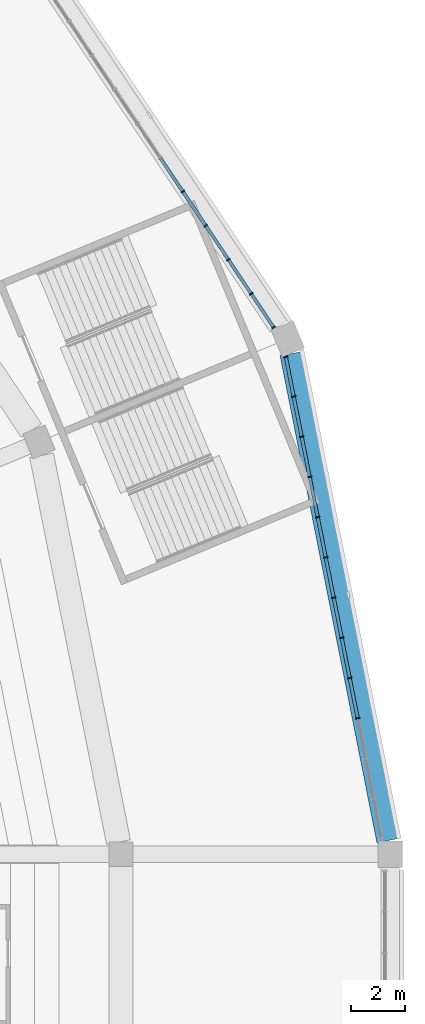
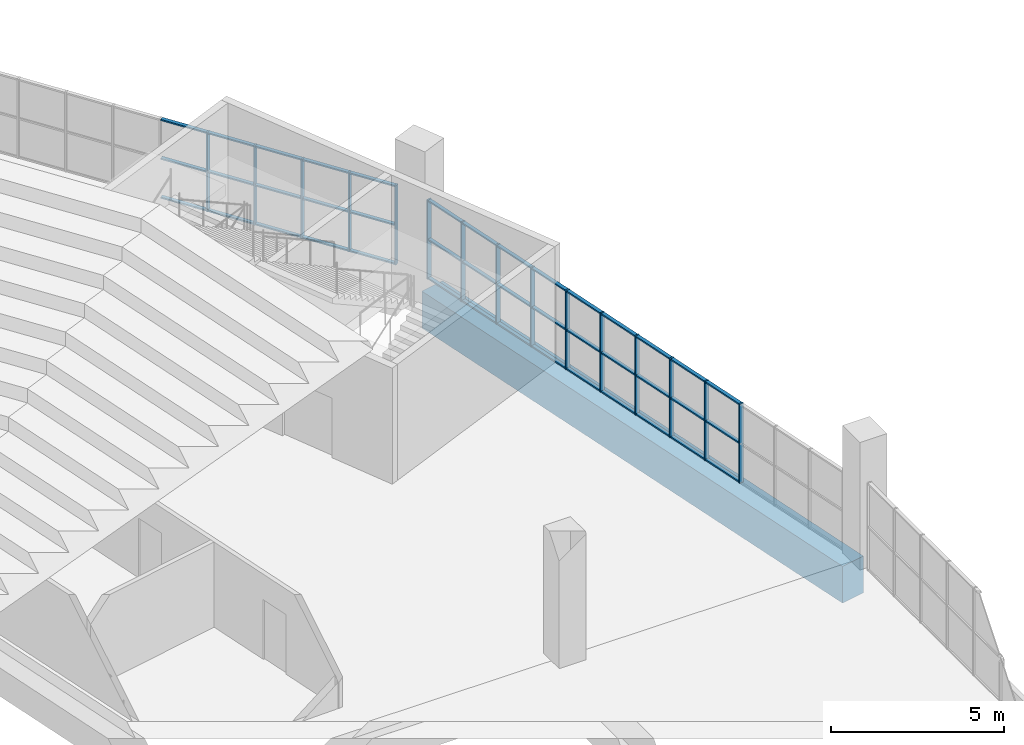
# One storey, part 59 of 249: 57 members, 1 beam, 2 elements without a shape of their own.
"""IFC4 building model written with IfcOpenShell, lengths in metres."""

from ifc_helpers import new_model, si_unit, direction, frame, origin, origin_2d, place, context, subcontext, project, spatial, rectangle, extrude, material, material_profile, profile_set, type_object, element, aggregate, save


model = new_model("IFC4")

# Units and contexts
model_context = context("Model", 3, precision=1e-05, world=origin(), true_north=direction((0.0, 1.0)))
body_context = subcontext(model_context, "Body", "Model", "MODEL_VIEW")
ifc_project = project(units=[si_unit("LENGTHUNIT", "METRE"), si_unit("AREAUNIT", "SQUARE_METRE"), si_unit("VOLUMEUNIT", "CUBIC_METRE"), si_unit("PLANEANGLEUNIT", "RADIAN"), si_unit("MASSUNIT", "GRAM", prefix="KILO")], contexts=[model_context])

# Site, building, storey
site_placement = place(None, origin())
site = spatial("IfcSite", under=ifc_project, at=site_placement, CompositionType="ELEMENT")
building_placement = place(site_placement, origin())
building = spatial("IfcBuilding", under=site, at=building_placement, Name="Ogive Plaza Stadium", CompositionType="ELEMENT")
storey_placement = place(building_placement, frame((0.0, 0.0, 13.5)))
storey = spatial("IfcBuildingStorey", under=building, at=storey_placement, Name="L03", CompositionType="ELEMENT", Elevation=13.5)

# Curtain wall, members
ifc_material_1 = material(Name="Bronze-anodised aluminium with laminated glass", Category="aluminium")
curtain_wall_type = type_object("IfcCurtainWallType", Name="Lancet curtain wall", PredefinedType="NOTDEFINED", material=ifc_material_1)
curtain_wall_1_placement = place(storey_placement, origin())
curtain_wall_1 = element("IfcCurtainWall", 1, at=curtain_wall_1_placement, inside=storey, type_object=curtain_wall_type, Name="CURTAIN WALL B39 L03", PredefinedType="NOTDEFINED")
ifc_material_2 = material(Name="Bronze-anodised aluminium", Category="aluminium")
ifc_material_profile_1 = material_profile(ifc_material_2, rectangle(XDim=0.14990234375, YDim=0.050048828125, at=origin_2d()), Name="AL 150x50")
ifc_profile_set_1 = profile_set([ifc_material_profile_1], Name="Bronze-anodised aluminium")
member_type_1 = type_object("IfcMemberType", Name="Curtain wall mullion 50x150", PredefinedType="MULLION", material=ifc_profile_set_1)
member_1_placement = place(storey_placement, frame((76.2998046875, 77.10205078125, 0.0), z_axis=(0.0, 0.0, 1.0), x_axis=(0.831469612303, 0.55557023302, 0.0)))
member_1 = element("IfcMember", 2, at=member_1_placement, type_object=member_type_1, Name="CW-B39-L03 mullion 9", PredefinedType="MULLION", context=body_context, shape_type="SweptSolid", body=[
    extrude(rectangle(XDim=0.14990234375, YDim=0.050048828125, at=origin_2d()), origin(), (0.0, 0.0, 1.0), 2.7900390625),
])
member_2_placement = place(storey_placement, frame((77.145751953125, 75.836181640625, 0.0), z_axis=(0.0, 0.0, 1.0), x_axis=(0.831469612303, 0.55557023302, 0.0)))
member_2 = element("IfcMember", 3, at=member_2_placement, type_object=member_type_1, Name="CW-B39-L03 mullion 10", PredefinedType="MULLION", context=body_context, shape_type="SweptSolid", body=[
    extrude(rectangle(XDim=0.14990234375, YDim=0.050048828125, at=origin_2d()), origin(), (0.0, 0.0, 1.0), 2.7900390625),
])
member_3_placement = place(storey_placement, frame((77.991455078125, 74.570556640625, 0.0), z_axis=(0.0, 0.0, 1.0), x_axis=(0.831469612303, 0.55557023302, 0.0)))
member_3 = element("IfcMember", 4, at=member_3_placement, type_object=member_type_1, Name="CW-B39-L03 mullion 11", PredefinedType="MULLION", context=body_context, shape_type="SweptSolid", body=[
    extrude(rectangle(XDim=0.14990234375, YDim=0.050048828125, at=origin_2d()), origin(), (0.0, 0.0, 1.0), 2.7900390625),
])
member_4_placement = place(storey_placement, frame((78.837158203125, 73.3046875, 0.0), z_axis=(0.0, 0.0, 1.0), x_axis=(0.831469612303, 0.55557023302, 0.0)))
member_4 = element("IfcMember", 5, at=member_4_placement, type_object=member_type_1, Name="CW-B39-L03 mullion 12", PredefinedType="MULLION", context=body_context, shape_type="SweptSolid", body=[
    extrude(rectangle(XDim=0.14990234375, YDim=0.050048828125, at=origin_2d()), origin(), (0.0, 0.0, 1.0), 2.7900390625),
])
member_5_placement = place(storey_placement, frame((79.669189453125, 72.059814453125, 0.0), z_axis=(0.0, 0.0, 1.0), x_axis=(0.831469612303, 0.55557023302, 0.0)))
member_5 = element("IfcMember", 6, at=member_5_placement, type_object=member_type_1, Name="CW-B39-L03 mullion 13", PredefinedType="MULLION", context=body_context, shape_type="SweptSolid", body=[
    extrude(rectangle(XDim=0.14990234375, YDim=0.050048828125, at=origin_2d()), origin(), (0.0, 0.0, 1.0), 2.7900390625),
])

curtain_wall_2_placement = place(storey_placement, origin())
curtain_wall_2 = element("IfcCurtainWall", 7, at=curtain_wall_2_placement, inside=storey, type_object=curtain_wall_type, Name="CURTAIN WALL B40 L03", PredefinedType="NOTDEFINED")
member_6_placement = place(storey_placement, frame((80.123779296875, 70.962158203125, 0.0), z_axis=(0.0, 0.0, 1.0), x_axis=(0.9807852804, 0.195090322033, 0.0)))
member_6 = element("IfcMember", 8, at=member_6_placement, type_object=member_type_1, Name="CW-B40-L03 mullion 1", PredefinedType="MULLION", context=body_context, shape_type="SweptSolid", body=[
    extrude(rectangle(XDim=0.14990234375, YDim=0.050048828125, at=origin_2d()), origin(), (0.0, 0.0, 1.0), 2.7900390625),
])
member_7_placement = place(storey_placement, frame((80.415771484375, 69.49365234375, 0.0), z_axis=(0.0, 0.0, 1.0), x_axis=(0.9807852804, 0.195090322033, 0.0)))
member_7 = element("IfcMember", 9, at=member_7_placement, type_object=member_type_1, Name="CW-B40-L03 mullion 2", PredefinedType="MULLION", context=body_context, shape_type="SweptSolid", body=[
    extrude(rectangle(XDim=0.14990234375, YDim=0.050048828125, at=origin_2d()), origin(), (0.0, 0.0, 1.0), 2.7900390625),
])
member_8_placement = place(storey_placement, frame((80.712890625, 68.00048828125, 0.0), z_axis=(0.0, 0.0, 1.0), x_axis=(0.9807852804, 0.195090322033, 0.0)))
member_8 = element("IfcMember", 10, at=member_8_placement, type_object=member_type_1, Name="CW-B40-L03 mullion 3", PredefinedType="MULLION", context=body_context, shape_type="SweptSolid", body=[
    extrude(rectangle(XDim=0.14990234375, YDim=0.050048828125, at=origin_2d()), origin(), (0.0, 0.0, 1.0), 2.7900390625),
])
member_9_placement = place(storey_placement, frame((81.009765625, 66.50732421875, 0.0), z_axis=(0.0, 0.0, 1.0), x_axis=(0.9807852804, 0.195090322033, 0.0)))
member_9 = element("IfcMember", 11, at=member_9_placement, type_object=member_type_1, Name="CW-B40-L03 mullion 4", PredefinedType="MULLION", context=body_context, shape_type="SweptSolid", body=[
    extrude(rectangle(XDim=0.14990234375, YDim=0.050048828125, at=origin_2d()), origin(), (0.0, 0.0, 1.0), 2.7900390625),
])
member_10_placement = place(storey_placement, frame((81.306884765625, 65.01416015625, 0.0), z_axis=(0.0, 0.0, 1.0), x_axis=(0.9807852804, 0.195090322033, 0.0)))
member_10 = element("IfcMember", 12, at=member_10_placement, type_object=member_type_1, Name="CW-B40-L03 mullion 5", PredefinedType="MULLION", context=body_context, shape_type="SweptSolid", body=[
    extrude(rectangle(XDim=0.14990234375, YDim=0.050048828125, at=origin_2d()), origin(), (0.0, 0.0, 1.0), 2.7900390625),
])
member_11_placement = place(storey_placement, frame((81.603759765625, 63.521240234375, 0.0), z_axis=(0.0, 0.0, 1.0), x_axis=(0.9807852804, 0.195090322033, 0.0)))
member_11 = element("IfcMember", 13, at=member_11_placement, type_object=member_type_1, Name="CW-B40-L03 mullion 6", PredefinedType="MULLION", context=body_context, shape_type="SweptSolid", body=[
    extrude(rectangle(XDim=0.14990234375, YDim=0.050048828125, at=origin_2d()), origin(), (0.0, 0.0, 1.0), 2.7900390625),
])
member_12_placement = place(storey_placement, frame((81.90087890625, 62.028076171875, 0.0), z_axis=(0.0, 0.0, 1.0), x_axis=(0.9807852804, 0.195090322033, 0.0)))
member_12 = element("IfcMember", 14, at=member_12_placement, type_object=member_type_1, Name="CW-B40-L03 mullion 7", PredefinedType="MULLION", context=body_context, shape_type="SweptSolid", body=[
    extrude(rectangle(XDim=0.14990234375, YDim=0.050048828125, at=origin_2d()), origin(), (0.0, 0.0, 1.0), 2.7900390625),
])
member_13_placement = place(storey_placement, frame((82.19775390625, 60.534912109375, 0.0), z_axis=(0.0, 0.0, 1.0), x_axis=(0.9807852804, 0.195090322033, 0.0)))
member_13 = element("IfcMember", 15, at=member_13_placement, type_object=member_type_1, Name="CW-B40-L03 mullion 8", PredefinedType="MULLION", context=body_context, shape_type="SweptSolid", body=[
    extrude(rectangle(XDim=0.14990234375, YDim=0.050048828125, at=origin_2d()), origin(), (0.0, 0.0, 1.0), 2.7900390625),
])
member_14_placement = place(storey_placement, frame((82.494873046875, 59.0419921875, 0.0), z_axis=(0.0, 0.0, 1.0), x_axis=(0.9807852804, 0.195090322033, 0.0)))
member_14 = element("IfcMember", 16, at=member_14_placement, type_object=member_type_1, Name="CW-B40-L03 mullion 9", PredefinedType="MULLION", context=body_context, shape_type="SweptSolid", body=[
    extrude(rectangle(XDim=0.14990234375, YDim=0.050048828125, at=origin_2d()), origin(), (0.0, 0.0, 1.0), 2.7900390625),
])
member_15_placement = place(storey_placement, frame((82.791748046875, 57.548828125, 0.0), z_axis=(0.0, 0.0, 1.0), x_axis=(0.9807852804, 0.195090322033, 0.0)))
member_15 = element("IfcMember", 17, at=member_15_placement, type_object=member_type_1, Name="CW-B40-L03 mullion 10", PredefinedType="MULLION", context=body_context, shape_type="SweptSolid", body=[
    extrude(rectangle(XDim=0.14990234375, YDim=0.050048828125, at=origin_2d()), origin(), (0.0, 0.0, 1.0), 2.7900390625),
])

# Member
ifc_material_3 = material(Name="Bronze-anodised aluminium", Category="aluminium")
ifc_material_profile_2 = material_profile(ifc_material_3, rectangle(XDim=0.1201171875, YDim=0.050048828125, at=origin_2d()), Name="AL 120x50")
ifc_profile_set_2 = profile_set([ifc_material_profile_2], Name="Bronze-anodised aluminium")
member_type_2 = type_object("IfcMemberType", Name="Curtain wall transom 50x120", PredefinedType="USERDEFINED", material=ifc_profile_set_2)
member_16_placement = place(storey_placement, frame((75.468017578125, 78.34716796875, 0.02490234375), z_axis=(0.555579876157, -0.831463168883, 0.0), x_axis=(0.831463168883, 0.555579876157, 0.0)))
member_16 = element("IfcMember", 18, at=member_16_placement, type_object=member_type_2, Name="CW-B39-L03 transom 8.1", ObjectType="TRANSOM", PredefinedType="USERDEFINED", context=body_context, shape_type="SweptSolid", body=[
    extrude(rectangle(XDim=0.1201171875, YDim=0.050048828125, at=origin_2d()), origin(), (0.0, 0.0, 1.0), 1.47265625),
])

member_17_placement = place(storey_placement, frame((75.468017578125, 78.34716796875, 1.39501953125), z_axis=(0.555579876157, -0.831463168883, 0.0), x_axis=(0.831463168883, 0.555579876157, 0.0)))
member_17 = element("IfcMember", 19, at=member_17_placement, type_object=member_type_2, Name="CW-B39-L03 transom 8.2", ObjectType="TRANSOM", PredefinedType="USERDEFINED", context=body_context, shape_type="SweptSolid", body=[
    extrude(rectangle(XDim=0.1201171875, YDim=0.050048828125, at=origin_2d()), origin(), (0.0, 0.0, 1.0), 1.47265625),
])

member_18_placement = place(storey_placement, frame((75.468017578125, 78.34716796875, 2.764892578125), z_axis=(0.555579876157, -0.831463168883, 0.0), x_axis=(0.831463168883, 0.555579876157, 0.0)))
member_18 = element("IfcMember", 20, at=member_18_placement, type_object=member_type_2, Name="CW-B39-L03 transom 8.3", ObjectType="TRANSOM", PredefinedType="USERDEFINED", context=body_context, shape_type="SweptSolid", body=[
    extrude(rectangle(XDim=0.1201171875, YDim=0.050048828125, at=origin_2d()), origin(), (0.0, 0.0, 1.0), 1.47265625),
])

member_19_placement = place(storey_placement, frame((76.313720703125, 77.081298828125, 0.02490234375), z_axis=(0.555656472512, -0.831411982446, 0.0), x_axis=(0.831411982446, 0.555656472512, 0.0)))
member_19 = element("IfcMember", 21, at=member_19_placement, type_object=member_type_2, Name="CW-B39-L03 transom 9.1", ObjectType="TRANSOM", PredefinedType="USERDEFINED", context=body_context, shape_type="SweptSolid", body=[
    extrude(rectangle(XDim=0.1201171875, YDim=0.050048828125, at=origin_2d()), origin(), (0.0, 0.0, 1.0), 1.472412109375),
])

member_20_placement = place(storey_placement, frame((76.313720703125, 77.081298828125, 1.39501953125), z_axis=(0.555656472512, -0.831411982446, 0.0), x_axis=(0.831411982446, 0.555656472512, 0.0)))
member_20 = element("IfcMember", 22, at=member_20_placement, type_object=member_type_2, Name="CW-B39-L03 transom 9.2", ObjectType="TRANSOM", PredefinedType="USERDEFINED", context=body_context, shape_type="SweptSolid", body=[
    extrude(rectangle(XDim=0.1201171875, YDim=0.050048828125, at=origin_2d()), origin(), (0.0, 0.0, 1.0), 1.472412109375),
])

member_21_placement = place(storey_placement, frame((76.313720703125, 77.081298828125, 2.764892578125), z_axis=(0.555656472512, -0.831411982446, 0.0), x_axis=(0.831411982446, 0.555656472512, 0.0)))
member_21 = element("IfcMember", 23, at=member_21_placement, type_object=member_type_2, Name="CW-B39-L03 transom 9.3", ObjectType="TRANSOM", PredefinedType="USERDEFINED", context=body_context, shape_type="SweptSolid", body=[
    extrude(rectangle(XDim=0.1201171875, YDim=0.050048828125, at=origin_2d()), origin(), (0.0, 0.0, 1.0), 1.472412109375),
])

member_22_placement = place(storey_placement, frame((77.15966796875, 75.8154296875, 0.02490234375), z_axis=(0.555541835587, -0.831488586159, 0.0), x_axis=(0.831488586159, 0.555541835587, 0.0)))
member_22 = element("IfcMember", 24, at=member_22_placement, type_object=member_type_2, Name="CW-B39-L03 transom 10.1", ObjectType="TRANSOM", PredefinedType="USERDEFINED", context=body_context, shape_type="SweptSolid", body=[
    extrude(rectangle(XDim=0.1201171875, YDim=0.050048828125, at=origin_2d()), origin(), (0.0, 0.0, 1.0), 1.47216796875),
])

member_23_placement = place(storey_placement, frame((77.15966796875, 75.8154296875, 1.39501953125), z_axis=(0.555541835587, -0.831488586159, 0.0), x_axis=(0.831488586159, 0.555541835587, 0.0)))
member_23 = element("IfcMember", 25, at=member_23_placement, type_object=member_type_2, Name="CW-B39-L03 transom 10.2", ObjectType="TRANSOM", PredefinedType="USERDEFINED", context=body_context, shape_type="SweptSolid", body=[
    extrude(rectangle(XDim=0.1201171875, YDim=0.050048828125, at=origin_2d()), origin(), (0.0, 0.0, 1.0), 1.47216796875),
])

member_24_placement = place(storey_placement, frame((77.15966796875, 75.8154296875, 2.764892578125), z_axis=(0.555541835587, -0.831488586159, 0.0), x_axis=(0.831488586159, 0.555541835587, 0.0)))
member_24 = element("IfcMember", 26, at=member_24_placement, type_object=member_type_2, Name="CW-B39-L03 transom 10.3", ObjectType="TRANSOM", PredefinedType="USERDEFINED", context=body_context, shape_type="SweptSolid", body=[
    extrude(rectangle(XDim=0.1201171875, YDim=0.050048828125, at=origin_2d()), origin(), (0.0, 0.0, 1.0), 1.47216796875),
])

member_25_placement = place(storey_placement, frame((78.00537109375, 74.5498046875, 0.02490234375), z_axis=(0.555465240925, -0.83153975619, 0.0), x_axis=(0.83153975619, 0.555465240925, 0.0)))
member_25 = element("IfcMember", 27, at=member_25_placement, type_object=member_type_2, Name="CW-B39-L03 transom 11.1", ObjectType="TRANSOM", PredefinedType="USERDEFINED", context=body_context, shape_type="SweptSolid", body=[
    extrude(rectangle(XDim=0.1201171875, YDim=0.050048828125, at=origin_2d()), origin(), (0.0, 0.0, 1.0), 1.472412109375),
])

member_26_placement = place(storey_placement, frame((78.00537109375, 74.5498046875, 1.39501953125), z_axis=(0.555465240925, -0.83153975619, 0.0), x_axis=(0.83153975619, 0.555465240925, 0.0)))
member_26 = element("IfcMember", 28, at=member_26_placement, type_object=member_type_2, Name="CW-B39-L03 transom 11.2", ObjectType="TRANSOM", PredefinedType="USERDEFINED", context=body_context, shape_type="SweptSolid", body=[
    extrude(rectangle(XDim=0.1201171875, YDim=0.050048828125, at=origin_2d()), origin(), (0.0, 0.0, 1.0), 1.472412109375),
])

member_27_placement = place(storey_placement, frame((78.00537109375, 74.5498046875, 2.764892578125), z_axis=(0.555465240925, -0.83153975619, 0.0), x_axis=(0.83153975619, 0.555465240925, 0.0)))
member_27 = element("IfcMember", 29, at=member_27_placement, type_object=member_type_2, Name="CW-B39-L03 transom 11.3", ObjectType="TRANSOM", PredefinedType="USERDEFINED", context=body_context, shape_type="SweptSolid", body=[
    extrude(rectangle(XDim=0.1201171875, YDim=0.050048828125, at=origin_2d()), origin(), (0.0, 0.0, 1.0), 1.472412109375),
])

member_28_placement = place(storey_placement, frame((78.85107421875, 73.283935546875, 0.02490234375), z_axis=(0.555634077892, -0.831426948977, 0.0), x_axis=(0.831426948977, 0.555634077892, 0.0)))
member_28 = element("IfcMember", 30, at=member_28_placement, type_object=member_type_2, Name="CW-B39-L03 transom 12.1", ObjectType="TRANSOM", PredefinedType="USERDEFINED", context=body_context, shape_type="SweptSolid", body=[
    extrude(rectangle(XDim=0.1201171875, YDim=0.050048828125, at=origin_2d()), origin(), (0.0, 0.0, 1.0), 1.447265625),
])

member_29_placement = place(storey_placement, frame((78.85107421875, 73.283935546875, 1.39501953125), z_axis=(0.555634077892, -0.831426948977, 0.0), x_axis=(0.831426948977, 0.555634077892, 0.0)))
member_29 = element("IfcMember", 31, at=member_29_placement, type_object=member_type_2, Name="CW-B39-L03 transom 12.2", ObjectType="TRANSOM", PredefinedType="USERDEFINED", context=body_context, shape_type="SweptSolid", body=[
    extrude(rectangle(XDim=0.1201171875, YDim=0.050048828125, at=origin_2d()), origin(), (0.0, 0.0, 1.0), 1.447265625),
])

member_30_placement = place(storey_placement, frame((78.85107421875, 73.283935546875, 2.764892578125), z_axis=(0.555634077892, -0.831426948977, 0.0), x_axis=(0.831426948977, 0.555634077892, 0.0)))
member_30 = element("IfcMember", 32, at=member_30_placement, type_object=member_type_2, Name="CW-B39-L03 transom 12.3", ObjectType="TRANSOM", PredefinedType="USERDEFINED", context=body_context, shape_type="SweptSolid", body=[
    extrude(rectangle(XDim=0.1201171875, YDim=0.050048828125, at=origin_2d()), origin(), (0.0, 0.0, 1.0), 1.447265625),
])

aggregate(curtain_wall_1, [member_1, member_2, member_3, member_4, member_5, member_16, member_17, member_18, member_19, member_20, member_21, member_22, member_23, member_24, member_25, member_26, member_27, member_28, member_29, member_30])

member_31_placement = place(storey_placement, frame((80.128662109375, 70.9375, 0.02490234375), z_axis=(0.195012996379, -0.98080065826, 0.0), x_axis=(0.98080065826, 0.195012996379, 0.0)))
member_31 = element("IfcMember", 33, at=member_31_placement, type_object=member_type_2, Name="CW-B40-L03 transom 1.1", ObjectType="TRANSOM", PredefinedType="USERDEFINED", context=body_context, shape_type="SweptSolid", body=[
    extrude(rectangle(XDim=0.1201171875, YDim=0.050048828125, at=origin_2d()), origin(), (0.0, 0.0, 1.0), 1.447265625),
])

member_32_placement = place(storey_placement, frame((80.128662109375, 70.9375, 1.39501953125), z_axis=(0.195012996379, -0.98080065826, 0.0), x_axis=(0.98080065826, 0.195012996379, 0.0)))
member_32 = element("IfcMember", 34, at=member_32_placement, type_object=member_type_2, Name="CW-B40-L03 transom 1.2", ObjectType="TRANSOM", PredefinedType="USERDEFINED", context=body_context, shape_type="SweptSolid", body=[
    extrude(rectangle(XDim=0.1201171875, YDim=0.050048828125, at=origin_2d()), origin(), (0.0, 0.0, 1.0), 1.447265625),
])

member_33_placement = place(storey_placement, frame((80.128662109375, 70.9375, 2.764892578125), z_axis=(0.195012996379, -0.98080065826, 0.0), x_axis=(0.98080065826, 0.195012996379, 0.0)))
member_33 = element("IfcMember", 35, at=member_33_placement, type_object=member_type_2, Name="CW-B40-L03 transom 1.3", ObjectType="TRANSOM", PredefinedType="USERDEFINED", context=body_context, shape_type="SweptSolid", body=[
    extrude(rectangle(XDim=0.1201171875, YDim=0.050048828125, at=origin_2d()), origin(), (0.0, 0.0, 1.0), 1.447265625),
])

member_34_placement = place(storey_placement, frame((80.420654296875, 69.468994140625, 0.02490234375), z_axis=(0.195159440417, -0.980771529367, 0.0), x_axis=(0.980771529367, 0.195159440417, 0.0)))
member_34 = element("IfcMember", 36, at=member_34_placement, type_object=member_type_2, Name="CW-B40-L03 transom 2.1", ObjectType="TRANSOM", PredefinedType="USERDEFINED", context=body_context, shape_type="SweptSolid", body=[
    extrude(rectangle(XDim=0.1201171875, YDim=0.050048828125, at=origin_2d()), origin(), (0.0, 0.0, 1.0), 1.472412109375),
])

member_35_placement = place(storey_placement, frame((80.420654296875, 69.468994140625, 1.39501953125), z_axis=(0.195159440417, -0.980771529367, 0.0), x_axis=(0.980771529367, 0.195159440417, 0.0)))
member_35 = element("IfcMember", 37, at=member_35_placement, type_object=member_type_2, Name="CW-B40-L03 transom 2.2", ObjectType="TRANSOM", PredefinedType="USERDEFINED", context=body_context, shape_type="SweptSolid", body=[
    extrude(rectangle(XDim=0.1201171875, YDim=0.050048828125, at=origin_2d()), origin(), (0.0, 0.0, 1.0), 1.472412109375),
])

member_36_placement = place(storey_placement, frame((80.420654296875, 69.468994140625, 2.764892578125), z_axis=(0.195159440417, -0.980771529367, 0.0), x_axis=(0.980771529367, 0.195159440417, 0.0)))
member_36 = element("IfcMember", 38, at=member_36_placement, type_object=member_type_2, Name="CW-B40-L03 transom 2.3", ObjectType="TRANSOM", PredefinedType="USERDEFINED", context=body_context, shape_type="SweptSolid", body=[
    extrude(rectangle(XDim=0.1201171875, YDim=0.050048828125, at=origin_2d()), origin(), (0.0, 0.0, 1.0), 1.472412109375),
])

member_37_placement = place(storey_placement, frame((80.7177734375, 67.975830078125, 0.02490234375), z_axis=(0.19503165555, -0.980796948065, 0.0), x_axis=(0.980796948065, 0.19503165555, 0.0)))
member_37 = element("IfcMember", 39, at=member_37_placement, type_object=member_type_2, Name="CW-B40-L03 transom 3.1", ObjectType="TRANSOM", PredefinedType="USERDEFINED", context=body_context, shape_type="SweptSolid", body=[
    extrude(rectangle(XDim=0.1201171875, YDim=0.050048828125, at=origin_2d()), origin(), (0.0, 0.0, 1.0), 1.47216796875),
])

member_38_placement = place(storey_placement, frame((80.7177734375, 67.975830078125, 1.39501953125), z_axis=(0.19503165555, -0.980796948065, 0.0), x_axis=(0.980796948065, 0.19503165555, 0.0)))
member_38 = element("IfcMember", 40, at=member_38_placement, type_object=member_type_2, Name="CW-B40-L03 transom 3.2", ObjectType="TRANSOM", PredefinedType="USERDEFINED", context=body_context, shape_type="SweptSolid", body=[
    extrude(rectangle(XDim=0.1201171875, YDim=0.050048828125, at=origin_2d()), origin(), (0.0, 0.0, 1.0), 1.47216796875),
])

member_39_placement = place(storey_placement, frame((80.7177734375, 67.975830078125, 2.764892578125), z_axis=(0.19503165555, -0.980796948065, 0.0), x_axis=(0.980796948065, 0.19503165555, 0.0)))
member_39 = element("IfcMember", 41, at=member_39_placement, type_object=member_type_2, Name="CW-B40-L03 transom 3.3", ObjectType="TRANSOM", PredefinedType="USERDEFINED", context=body_context, shape_type="SweptSolid", body=[
    extrude(rectangle(XDim=0.1201171875, YDim=0.050048828125, at=origin_2d()), origin(), (0.0, 0.0, 1.0), 1.47216796875),
])

member_40_placement = place(storey_placement, frame((81.0146484375, 66.48291015625, 0.02490234375), z_axis=(0.195159440417, -0.980771529367, 0.0), x_axis=(0.980771529367, 0.195159440417, 0.0)))
member_40 = element("IfcMember", 42, at=member_40_placement, type_object=member_type_2, Name="CW-B40-L03 transom 4.1", ObjectType="TRANSOM", PredefinedType="USERDEFINED", context=body_context, shape_type="SweptSolid", body=[
    extrude(rectangle(XDim=0.1201171875, YDim=0.050048828125, at=origin_2d()), origin(), (0.0, 0.0, 1.0), 1.472412109375),
])

member_41_placement = place(storey_placement, frame((81.0146484375, 66.48291015625, 1.39501953125), z_axis=(0.195159440417, -0.980771529367, 0.0), x_axis=(0.980771529367, 0.195159440417, 0.0)))
member_41 = element("IfcMember", 43, at=member_41_placement, type_object=member_type_2, Name="CW-B40-L03 transom 4.2", ObjectType="TRANSOM", PredefinedType="USERDEFINED", context=body_context, shape_type="SweptSolid", body=[
    extrude(rectangle(XDim=0.1201171875, YDim=0.050048828125, at=origin_2d()), origin(), (0.0, 0.0, 1.0), 1.472412109375),
])

member_42_placement = place(storey_placement, frame((81.0146484375, 66.48291015625, 2.764892578125), z_axis=(0.195159440417, -0.980771529367, 0.0), x_axis=(0.980771529367, 0.195159440417, 0.0)))
member_42 = element("IfcMember", 44, at=member_42_placement, type_object=member_type_2, Name="CW-B40-L03 transom 4.3", ObjectType="TRANSOM", PredefinedType="USERDEFINED", context=body_context, shape_type="SweptSolid", body=[
    extrude(rectangle(XDim=0.1201171875, YDim=0.050048828125, at=origin_2d()), origin(), (0.0, 0.0, 1.0), 1.472412109375),
])

member_43_placement = place(storey_placement, frame((81.311767578125, 64.98974609375, 0.02490234375), z_axis=(0.194999937042, -0.980803254763, 0.0), x_axis=(0.980803254763, 0.194999937042, 0.0)))
member_43 = element("IfcMember", 45, at=member_43_placement, type_object=member_type_2, Name="CW-B40-L03 transom 5.1", ObjectType="TRANSOM", PredefinedType="USERDEFINED", context=body_context, shape_type="SweptSolid", body=[
    extrude(rectangle(XDim=0.1201171875, YDim=0.050048828125, at=origin_2d()), origin(), (0.0, 0.0, 1.0), 1.472412109375),
])

member_44_placement = place(storey_placement, frame((81.311767578125, 64.98974609375, 1.39501953125), z_axis=(0.194999937042, -0.980803254763, 0.0), x_axis=(0.980803254763, 0.194999937042, 0.0)))
member_44 = element("IfcMember", 46, at=member_44_placement, type_object=member_type_2, Name="CW-B40-L03 transom 5.2", ObjectType="TRANSOM", PredefinedType="USERDEFINED", context=body_context, shape_type="SweptSolid", body=[
    extrude(rectangle(XDim=0.1201171875, YDim=0.050048828125, at=origin_2d()), origin(), (0.0, 0.0, 1.0), 1.472412109375),
])

member_45_placement = place(storey_placement, frame((81.311767578125, 64.98974609375, 2.764892578125), z_axis=(0.194999937042, -0.980803254763, 0.0), x_axis=(0.980803254763, 0.194999937042, 0.0)))
member_45 = element("IfcMember", 47, at=member_45_placement, type_object=member_type_2, Name="CW-B40-L03 transom 5.3", ObjectType="TRANSOM", PredefinedType="USERDEFINED", context=body_context, shape_type="SweptSolid", body=[
    extrude(rectangle(XDim=0.1201171875, YDim=0.050048828125, at=origin_2d()), origin(), (0.0, 0.0, 1.0), 1.472412109375),
])

member_46_placement = place(storey_placement, frame((81.608642578125, 63.49658203125, 0.02490234375), z_axis=(0.195159440417, -0.980771529367, 0.0), x_axis=(0.980771529367, 0.195159440417, 0.0)))
member_46 = element("IfcMember", 48, at=member_46_placement, type_object=member_type_2, Name="CW-B40-L03 transom 6.1", ObjectType="TRANSOM", PredefinedType="USERDEFINED", context=body_context, shape_type="SweptSolid", body=[
    extrude(rectangle(XDim=0.1201171875, YDim=0.050048828125, at=origin_2d()), origin(), (0.0, 0.0, 1.0), 1.472412109375),
])

member_47_placement = place(storey_placement, frame((81.608642578125, 63.49658203125, 1.39501953125), z_axis=(0.195159440417, -0.980771529367, 0.0), x_axis=(0.980771529367, 0.195159440417, 0.0)))
member_47 = element("IfcMember", 49, at=member_47_placement, type_object=member_type_2, Name="CW-B40-L03 transom 6.2", ObjectType="TRANSOM", PredefinedType="USERDEFINED", context=body_context, shape_type="SweptSolid", body=[
    extrude(rectangle(XDim=0.1201171875, YDim=0.050048828125, at=origin_2d()), origin(), (0.0, 0.0, 1.0), 1.472412109375),
])

member_48_placement = place(storey_placement, frame((81.608642578125, 63.49658203125, 2.764892578125), z_axis=(0.195159440417, -0.980771529367, 0.0), x_axis=(0.980771529367, 0.195159440417, 0.0)))
member_48 = element("IfcMember", 50, at=member_48_placement, type_object=member_type_2, Name="CW-B40-L03 transom 6.3", ObjectType="TRANSOM", PredefinedType="USERDEFINED", context=body_context, shape_type="SweptSolid", body=[
    extrude(rectangle(XDim=0.1201171875, YDim=0.050048828125, at=origin_2d()), origin(), (0.0, 0.0, 1.0), 1.472412109375),
])

member_49_placement = place(storey_placement, frame((81.90576171875, 62.003662109375, 0.02490234375), z_axis=(0.194999937042, -0.980803254763, 0.0), x_axis=(0.980803254763, 0.194999937042, 0.0)))
member_49 = element("IfcMember", 51, at=member_49_placement, type_object=member_type_2, Name="CW-B40-L03 transom 7.1", ObjectType="TRANSOM", PredefinedType="USERDEFINED", context=body_context, shape_type="SweptSolid", body=[
    extrude(rectangle(XDim=0.1201171875, YDim=0.050048828125, at=origin_2d()), origin(), (0.0, 0.0, 1.0), 1.472412109375),
])

member_50_placement = place(storey_placement, frame((81.90576171875, 62.003662109375, 1.39501953125), z_axis=(0.194999937042, -0.980803254763, 0.0), x_axis=(0.980803254763, 0.194999937042, 0.0)))
member_50 = element("IfcMember", 52, at=member_50_placement, type_object=member_type_2, Name="CW-B40-L03 transom 7.2", ObjectType="TRANSOM", PredefinedType="USERDEFINED", context=body_context, shape_type="SweptSolid", body=[
    extrude(rectangle(XDim=0.1201171875, YDim=0.050048828125, at=origin_2d()), origin(), (0.0, 0.0, 1.0), 1.472412109375),
])

member_51_placement = place(storey_placement, frame((81.90576171875, 62.003662109375, 2.764892578125), z_axis=(0.194999937042, -0.980803254763, 0.0), x_axis=(0.980803254763, 0.194999937042, 0.0)))
member_51 = element("IfcMember", 53, at=member_51_placement, type_object=member_type_2, Name="CW-B40-L03 transom 7.3", ObjectType="TRANSOM", PredefinedType="USERDEFINED", context=body_context, shape_type="SweptSolid", body=[
    extrude(rectangle(XDim=0.1201171875, YDim=0.050048828125, at=origin_2d()), origin(), (0.0, 0.0, 1.0), 1.472412109375),
])

member_52_placement = place(storey_placement, frame((82.20263671875, 60.510498046875, 0.02490234375), z_axis=(0.195159440417, -0.980771529367, 0.0), x_axis=(0.980771529367, 0.195159440417, 0.0)))
member_52 = element("IfcMember", 54, at=member_52_placement, type_object=member_type_2, Name="CW-B40-L03 transom 8.1", ObjectType="TRANSOM", PredefinedType="USERDEFINED", context=body_context, shape_type="SweptSolid", body=[
    extrude(rectangle(XDim=0.1201171875, YDim=0.050048828125, at=origin_2d()), origin(), (0.0, 0.0, 1.0), 1.472412109375),
])

member_53_placement = place(storey_placement, frame((82.20263671875, 60.510498046875, 1.39501953125), z_axis=(0.195159440417, -0.980771529367, 0.0), x_axis=(0.980771529367, 0.195159440417, 0.0)))
member_53 = element("IfcMember", 55, at=member_53_placement, type_object=member_type_2, Name="CW-B40-L03 transom 8.2", ObjectType="TRANSOM", PredefinedType="USERDEFINED", context=body_context, shape_type="SweptSolid", body=[
    extrude(rectangle(XDim=0.1201171875, YDim=0.050048828125, at=origin_2d()), origin(), (0.0, 0.0, 1.0), 1.472412109375),
])

member_54_placement = place(storey_placement, frame((82.20263671875, 60.510498046875, 2.764892578125), z_axis=(0.195159440417, -0.980771529367, 0.0), x_axis=(0.980771529367, 0.195159440417, 0.0)))
member_54 = element("IfcMember", 56, at=member_54_placement, type_object=member_type_2, Name="CW-B40-L03 transom 8.3", ObjectType="TRANSOM", PredefinedType="USERDEFINED", context=body_context, shape_type="SweptSolid", body=[
    extrude(rectangle(XDim=0.1201171875, YDim=0.050048828125, at=origin_2d()), origin(), (0.0, 0.0, 1.0), 1.472412109375),
])

member_55_placement = place(storey_placement, frame((82.499755859375, 59.017333984375, 0.02490234375), z_axis=(0.194999937042, -0.980803254763, 0.0), x_axis=(0.980803254763, 0.194999937042, 0.0)))
member_55 = element("IfcMember", 57, at=member_55_placement, type_object=member_type_2, Name="CW-B40-L03 transom 9.1", ObjectType="TRANSOM", PredefinedType="USERDEFINED", context=body_context, shape_type="SweptSolid", body=[
    extrude(rectangle(XDim=0.1201171875, YDim=0.050048828125, at=origin_2d()), origin(), (0.0, 0.0, 1.0), 1.472412109375),
])

member_56_placement = place(storey_placement, frame((82.499755859375, 59.017333984375, 1.39501953125), z_axis=(0.194999937042, -0.980803254763, 0.0), x_axis=(0.980803254763, 0.194999937042, 0.0)))
member_56 = element("IfcMember", 58, at=member_56_placement, type_object=member_type_2, Name="CW-B40-L03 transom 9.2", ObjectType="TRANSOM", PredefinedType="USERDEFINED", context=body_context, shape_type="SweptSolid", body=[
    extrude(rectangle(XDim=0.1201171875, YDim=0.050048828125, at=origin_2d()), origin(), (0.0, 0.0, 1.0), 1.472412109375),
])

member_57_placement = place(storey_placement, frame((82.499755859375, 59.017333984375, 2.764892578125), z_axis=(0.194999937042, -0.980803254763, 0.0), x_axis=(0.980803254763, 0.194999937042, 0.0)))
member_57 = element("IfcMember", 59, at=member_57_placement, type_object=member_type_2, Name="CW-B40-L03 transom 9.3", ObjectType="TRANSOM", PredefinedType="USERDEFINED", context=body_context, shape_type="SweptSolid", body=[
    extrude(rectangle(XDim=0.1201171875, YDim=0.050048828125, at=origin_2d()), origin(), (0.0, 0.0, 1.0), 1.472412109375),
])

aggregate(curtain_wall_2, [member_6, member_7, member_8, member_9, member_10, member_11, member_12, member_13, member_14, member_15, member_31, member_32, member_33, member_34, member_35, member_36, member_37, member_38, member_39, member_40, member_41, member_42, member_43, member_44, member_45, member_46, member_47, member_48, member_49, member_50, member_51, member_52, member_53, member_54, member_55, member_56, member_57])

# Beam
ifc_material_4 = material(Name="Concrete C40/50", Category="concrete")
ifc_material_profile_3 = material_profile(ifc_material_4, rectangle(XDim=0.800048828125, YDim=1.300048828125, at=origin_2d()), Name="RC 800x1300")
ifc_profile_set_3 = profile_set([ifc_material_profile_3], Name="Concrete C40/50")
beam_type = type_object("IfcBeamType", Name="RC spandrel beam 800x1300", PredefinedType="SPANDREL", material=ifc_profile_set_3)
beam_placement = place(storey_placement, frame((80.303466796875, 71.084228515625, -1.06005859375), z_axis=(0.195089866178, -0.980785371075, 0.0), x_axis=(0.980785371075, 0.195089866178, 0.0)))
element("IfcBeam", 60, at=beam_placement, inside=storey, type_object=beam_type, Name="Ring beam F5 L03 B40", PredefinedType="SPANDREL", context=body_context, shape_type="SweptSolid", body=[
    extrude(rectangle(XDim=0.800048828125, YDim=1.300048828125, at=origin_2d()), origin(), (0.0, 0.0, 1.0), 18.4384765625),
])

save(model, "model.ifc")
